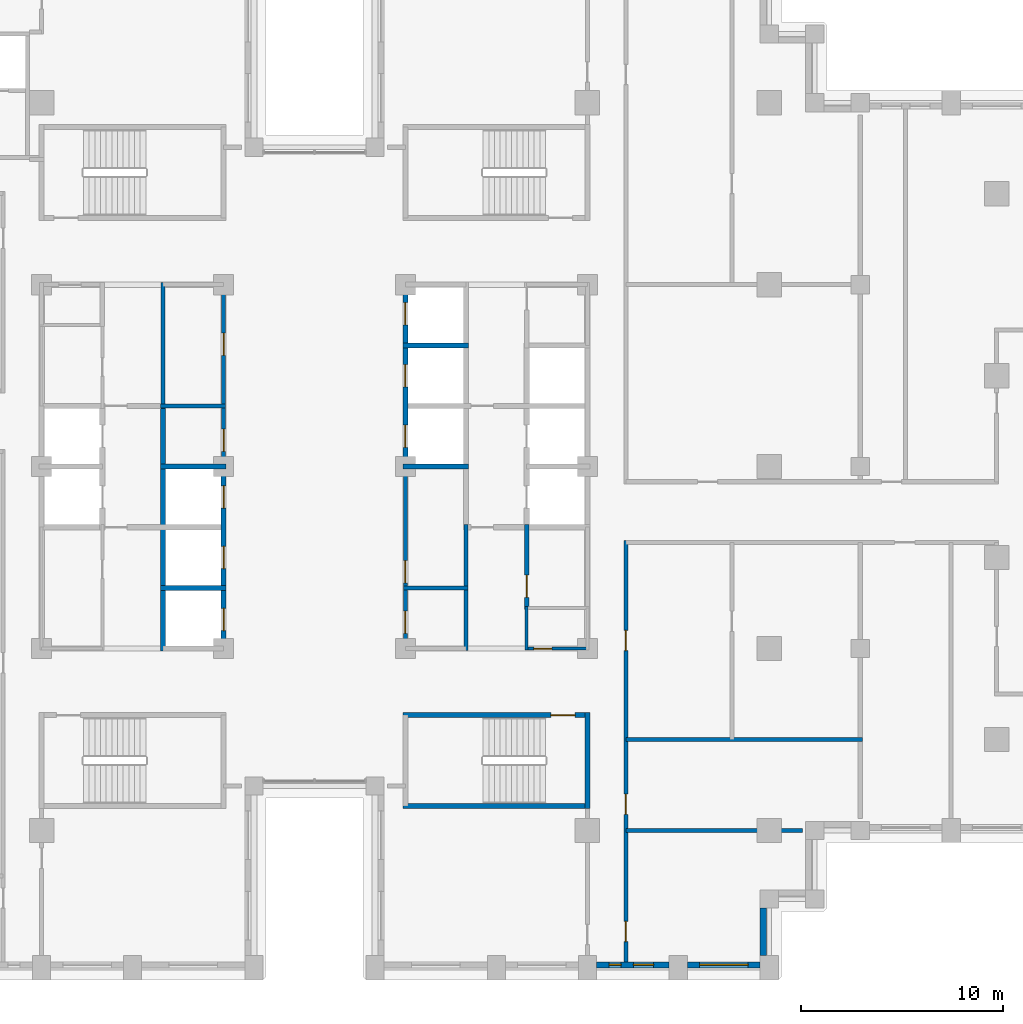
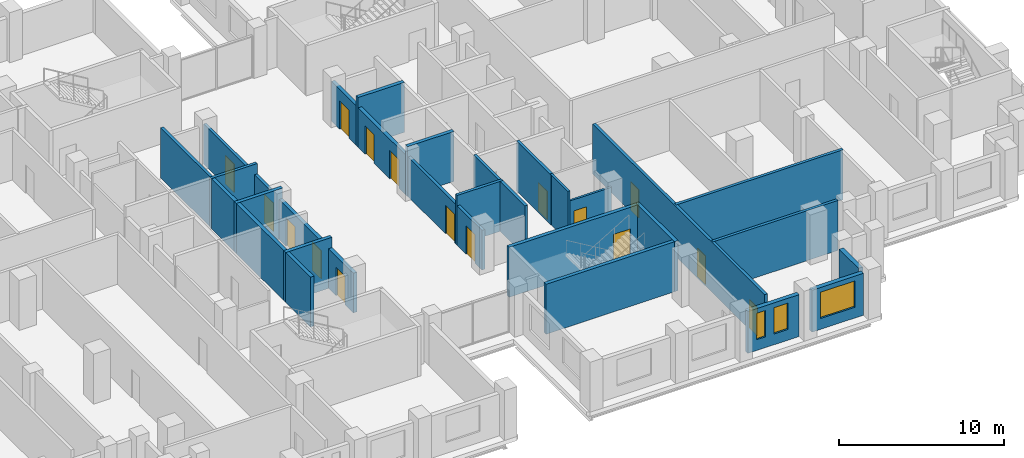
# One storey, part 8 of 16: 25 walls, 16 doors, 3 windows, 19 openings.
"""IFC4 building model written with IfcOpenShell, lengths in metres."""

from ifc_helpers import new_model, si_unit, direction, frame, frame_2d, origin, place, context, subcontext, project, spatial, rectangle, extrude, material, layer, layer_set, type_object, element, fill, save


model = new_model("IFC4")

# Units and contexts
model_context = context("Model", 3, precision=1e-05, world=origin(), true_north=direction((0.0, 1.0)))
body_context = subcontext(model_context, "Body", "Model", "MODEL_VIEW")
ifc_project = project(units=[si_unit("LENGTHUNIT", "METRE"), si_unit("AREAUNIT", "SQUARE_METRE"), si_unit("VOLUMEUNIT", "CUBIC_METRE"), si_unit("PLANEANGLEUNIT", "RADIAN"), si_unit("MASSUNIT", "GRAM", prefix="KILO")], contexts=[model_context])

# Site, building, storey
site_placement = place(None, origin())
site = spatial("IfcSite", under=ifc_project, at=site_placement, CompositionType="ELEMENT")
building_placement = place(site_placement, origin())
building = spatial("IfcBuilding", under=site, at=building_placement, Name="Corbelhall Arena Tower", CompositionType="ELEMENT")
storey_placement = place(building_placement, frame((0.0, 0.0, 108.0)))
storey = spatial("IfcBuildingStorey", under=building, at=storey_placement, Name="L19", CompositionType="ELEMENT", Elevation=108.0)

# Wall, openings, windows
ifc_material_1 = material(Name="Precast concrete C40/50 with granite facing", Category="masonry")
ifc_layer_1 = layer(ifc_material_1, 0.300048828125)
ifc_layer_set_1 = layer_set([ifc_layer_1], Name="EV-IW1 Infill panel 300")
wall_type_1 = type_object("IfcWallType", Name="EV-IW1 Infill panel 300", PredefinedType="SOLIDWALL", material=ifc_layer_set_1)
wall_1_placement = place(storey_placement, frame((13.949951171875, -24.64990234375, 0.0), z_axis=(0.0, 0.0, 1.0), x_axis=(1.0, 0.0, 0.0)))
wall_1 = element("IfcWall", 1, at=wall_1_placement, inside=storey, type_object=wall_type_1, Name="Infill panel IW1", PredefinedType="SOLIDWALL", context=body_context, shape_type="SweptSolid", body=[
    extrude(rectangle(XDim=3.60009765625, YDim=0.300048828125, at=frame_2d((1.800048828125, 0.0))), origin(), (0.0, 0.0, 1.0), 3.10009765625),
])
opening_1_placement = place(wall_1_placement, frame((0.625, 0.0, 0.800048828125)))
opening_1 = element("IfcOpeningElement", 2, at=opening_1_placement, cuts=wall_1, Name="Opening WN5", PredefinedType="OPENING", context=body_context, shape_type="SweptSolid", body=[
    extrude(rectangle(XDim=0.60009765625, YDim=1.949951171875, at=frame_2d((0.300048828125, 0.97509765625))), frame((0.0, 0.14990234375, 0.0), z_axis=(0.0, -1.0, 0.0), x_axis=(1.0, 0.0, 0.0)), (0.0, 0.0, 1.0), 0.300048828125),
])
opening_2_placement = place(wall_1_placement, frame((1.824951171875, 0.0, 0.800048828125)))
opening_2 = element("IfcOpeningElement", 3, at=opening_2_placement, cuts=wall_1, Name="Opening WN6", PredefinedType="OPENING", context=body_context, shape_type="SweptSolid", body=[
    extrude(rectangle(XDim=1.0, YDim=1.949951171875, at=frame_2d((0.5, 0.97509765625))), frame((0.0, 0.14990234375, 0.0), z_axis=(0.0, -1.0, 0.0), x_axis=(1.0, 0.0, 0.0)), (0.0, 0.0, 1.0), 0.300048828125),
])
ifc_material_2 = material(Name="Aluminium black anodised", Category="aluminium")
window_type_1 = type_object("IfcWindowType", Name="EV-WN5 Office window 600", PartitioningType="SINGLE_PANEL", PredefinedType="WINDOW", material=ifc_material_2)
window_1_placement = place(opening_1_placement, origin())
window_1 = element("IfcWindow", 4, at=window_1_placement, inside=storey, type_object=window_type_1, Name="Window WN5", OverallHeight=1.949951171875, OverallWidth=0.60009765625, PartitioningType="SINGLE_PANEL", PredefinedType="WINDOW", context=body_context, shape_type="SweptSolid", body=[
    extrude(rectangle(XDim=0.60009765625, YDim=1.949951171875, at=frame_2d((0.300048828125, 0.97509765625))), frame((0.0, 0.030029296875, 0.0), z_axis=(0.0, -1.0, 0.0), x_axis=(1.0, 0.0, 0.0)), (0.0, 0.0, 1.0), 0.06005859375),
])
fill(opening_1, window_1)
window_type_2 = type_object("IfcWindowType", Name="EV-WN6 Office window 1000", PartitioningType="SINGLE_PANEL", PredefinedType="WINDOW", material=ifc_material_2)
window_2_placement = place(opening_2_placement, origin())
window_2 = element("IfcWindow", 5, at=window_2_placement, inside=storey, type_object=window_type_2, Name="Window WN6", OverallHeight=1.949951171875, OverallWidth=1.0, PartitioningType="SINGLE_PANEL", PredefinedType="WINDOW", context=body_context, shape_type="SweptSolid", body=[
    extrude(rectangle(XDim=1.0, YDim=1.949951171875, at=frame_2d((0.5, 0.97509765625))), frame((0.0, 0.030029296875, 0.0), z_axis=(0.0, -1.0, 0.0), x_axis=(1.0, 0.0, 0.0)), (0.0, 0.0, 1.0), 0.06005859375),
])
fill(opening_2, window_2)

# Wall, opening, window
wall_2_placement = place(storey_placement, frame((18.449951171875, -24.64990234375, 0.0), z_axis=(0.0, 0.0, 1.0), x_axis=(1.0, 0.0, 0.0)))
wall_2 = element("IfcWall", 6, at=wall_2_placement, inside=storey, type_object=wall_type_1, Name="Infill panel IW1", PredefinedType="SOLIDWALL", context=body_context, shape_type="SweptSolid", body=[
    extrude(rectangle(XDim=3.60009765625, YDim=0.300048828125, at=frame_2d((1.800048828125, 0.0))), origin(), (0.0, 0.0, 1.0), 3.10009765625),
])
opening_3_placement = place(wall_2_placement, frame((0.60009765625, 0.0, 0.800048828125)))
opening_3 = element("IfcOpeningElement", 7, at=opening_3_placement, cuts=wall_2, Name="Opening WN1", PredefinedType="OPENING", context=body_context, shape_type="SweptSolid", body=[
    extrude(rectangle(XDim=2.39990234375, YDim=1.949951171875, at=frame_2d((1.199951171875, 0.97509765625))), frame((0.0, 0.14990234375, 0.0), z_axis=(0.0, -1.0, 0.0), x_axis=(1.0, 0.0, 0.0)), (0.0, 0.0, 1.0), 0.300048828125),
])
window_type_3 = type_object("IfcWindowType", Name="EV-WN1 Office window", PartitioningType="SINGLE_PANEL", PredefinedType="WINDOW", material=ifc_material_2)
window_3_placement = place(opening_3_placement, origin())
window_3 = element("IfcWindow", 8, at=window_3_placement, inside=storey, type_object=window_type_3, Name="Window WN1", OverallHeight=1.949951171875, OverallWidth=2.39990234375, PartitioningType="SINGLE_PANEL", PredefinedType="WINDOW", context=body_context, shape_type="SweptSolid", body=[
    extrude(rectangle(XDim=2.39990234375, YDim=1.949951171875, at=frame_2d((1.199951171875, 0.97509765625))), frame((0.0, 0.030029296875, 0.0), z_axis=(0.0, -1.0, 0.0), x_axis=(1.0, 0.0, 0.0)), (0.0, 0.0, 1.0), 0.06005859375),
])
fill(opening_3, window_3)

# Walls
wall_3_placement = place(storey_placement, frame((22.199951171875, -24.199951171875, 0.0), z_axis=(0.0, 0.0, 1.0), x_axis=(0.0, 1.0, 0.0)))
element("IfcWall", 9, at=wall_3_placement, inside=storey, type_object=wall_type_1, Name="Infill panel IW1", PredefinedType="SOLIDWALL", context=body_context, shape_type="SweptSolid", body=[
    extrude(rectangle(XDim=2.349853515625, YDim=0.300048828125, at=frame_2d((1.1748046875, 0.0))), origin(), (0.0, 0.0, 1.0), 3.10009765625),
])
ifc_material_3 = material(Name="Gypsum board on steel stud, acoustic", Category="steel")
ifc_layer_2 = layer(ifc_material_3, 0.199951171875)
ifc_layer_set_2 = layer_set([ifc_layer_2], Name="IN-W-DM200")
wall_type_2 = type_object("IfcWallType", Name="IN-W-DM200", PredefinedType="PARTITIONING", material=ifc_layer_set_2)
wall_4_placement = place(storey_placement, frame((15.39990234375, -18.0, 0.0), z_axis=(0.0, 0.0, 1.0), x_axis=(1.0, 0.0, 0.0)))
element("IfcWall", 10, at=wall_4_placement, inside=storey, type_object=wall_type_2, Name="Partition 027", PredefinedType="PARTITIONING", context=body_context, shape_type="SweptSolid", body=[
    extrude(rectangle(XDim=8.75, YDim=0.199951171875, at=frame_2d((4.375, 0.0))), origin(), (0.0, 0.0, 1.0), 3.699951171875),
])

# Wall, openings, doors
wall_5_placement = place(storey_placement, frame((15.39990234375, -3.64990234375, 0.0), z_axis=(0.0, 0.0, 1.0), x_axis=(0.0, -1.0, 0.0)))
wall_5 = element("IfcWall", 11, at=wall_5_placement, inside=storey, type_object=wall_type_2, Name="Partition 028", PredefinedType="PARTITIONING", context=body_context, shape_type="SweptSolid", body=[
    extrude(rectangle(XDim=20.85009765625, YDim=0.199951171875, at=frame_2d((10.425048828125, 0.0))), origin(), (0.0, 0.0, 1.0), 3.699951171875),
])
opening_4_placement = place(wall_5_placement, frame((18.85009765625, 0.0, 0.0)))
opening_4 = element("IfcOpeningElement", 12, at=opening_4_placement, cuts=wall_5, Name="Opening 04035", PredefinedType="OPENING", context=body_context, shape_type="SweptSolid", body=[
    extrude(rectangle(XDim=1.0, YDim=2.10009765625, at=frame_2d((0.5, 1.050048828125))), frame((0.0, 0.10009765625, 0.0), z_axis=(0.0, -1.0, 0.0), x_axis=(1.0, 0.0, 0.0)), (0.0, 0.0, 1.0), 0.199951171875),
])
opening_5_placement = place(wall_5_placement, frame((12.550048828125, 0.0, 0.0)))
opening_5 = element("IfcOpeningElement", 13, at=opening_5_placement, cuts=wall_5, Name="Opening 04036", PredefinedType="OPENING", context=body_context, shape_type="SweptSolid", body=[
    extrude(rectangle(XDim=1.0, YDim=2.10009765625, at=frame_2d((0.5, 1.050048828125))), frame((0.0, 0.10009765625, 0.0), z_axis=(0.0, -1.0, 0.0), x_axis=(1.0, 0.0, 0.0)), (0.0, 0.0, 1.0), 0.199951171875),
])
opening_6_placement = place(wall_5_placement, frame((4.449951171875, 0.0, 0.0)))
opening_6 = element("IfcOpeningElement", 14, at=opening_6_placement, cuts=wall_5, Name="Opening 04037", PredefinedType="OPENING", context=body_context, shape_type="SweptSolid", body=[
    extrude(rectangle(XDim=1.0, YDim=2.10009765625, at=frame_2d((0.5, 1.050048828125))), frame((0.0, 0.10009765625, 0.0), z_axis=(0.0, -1.0, 0.0), x_axis=(1.0, 0.0, 0.0)), (0.0, 0.0, 1.0), 0.199951171875),
])
ifc_material_4 = material(Name="Steel door set", Category="steel")
door_type_1 = type_object("IfcDoorType", Name="IN-D-SW100", OperationType="NOTDEFINED", PredefinedType="DOOR", material=ifc_material_4)
door_1_placement = place(opening_4_placement, origin())
door_1 = element("IfcDoor", 15, at=door_1_placement, inside=storey, type_object=door_type_1, Name="Door 035", OperationType="SINGLE_SWING_RIGHT", OverallHeight=2.10009765625, OverallWidth=1.0, PredefinedType="DOOR", context=body_context, shape_type="SweptSolid", body=[
    extrude(rectangle(XDim=1.0, YDim=2.10009765625, at=frame_2d((0.5, 1.050048828125))), frame((0.0, 0.02490234375, 0.0), z_axis=(0.0, -1.0, 0.0), x_axis=(1.0, 0.0, 0.0)), (0.0, 0.0, 1.0), 0.050048828125),
])
fill(opening_4, door_1)
door_2_placement = place(opening_5_placement, origin())
door_2 = element("IfcDoor", 16, at=door_2_placement, inside=storey, type_object=door_type_1, Name="Door 036", OperationType="SINGLE_SWING_LEFT", OverallHeight=2.10009765625, OverallWidth=1.0, PredefinedType="DOOR", context=body_context, shape_type="SweptSolid", body=[
    extrude(rectangle(XDim=1.0, YDim=2.10009765625, at=frame_2d((0.5, 1.050048828125))), frame((0.0, 0.02490234375, 0.0), z_axis=(0.0, -1.0, 0.0), x_axis=(1.0, 0.0, 0.0)), (0.0, 0.0, 1.0), 0.050048828125),
])
fill(opening_5, door_2)
door_3_placement = place(opening_6_placement, origin())
door_3 = element("IfcDoor", 17, at=door_3_placement, inside=storey, type_object=door_type_1, Name="Door 037", OperationType="SINGLE_SWING_RIGHT", OverallHeight=2.10009765625, OverallWidth=1.0, PredefinedType="DOOR", context=body_context, shape_type="SweptSolid", body=[
    extrude(rectangle(XDim=1.0, YDim=2.10009765625, at=frame_2d((0.5, 1.050048828125))), frame((0.0, 0.02490234375, 0.0), z_axis=(0.0, -1.0, 0.0), x_axis=(1.0, 0.0, 0.0)), (0.0, 0.0, 1.0), 0.050048828125),
])
fill(opening_6, door_3)

# Walls
wall_6_placement = place(storey_placement, frame((15.39990234375, -13.5, 0.0), z_axis=(0.0, 0.0, 1.0), x_axis=(1.0, 0.0, 0.0)))
element("IfcWall", 18, at=wall_6_placement, inside=storey, type_object=wall_type_2, Name="Partition 029", PredefinedType="PARTITIONING", context=body_context, shape_type="SweptSolid", body=[
    extrude(rectangle(XDim=11.7001953125, YDim=0.199951171875, at=frame_2d((5.85009765625, 0.0))), origin(), (0.0, 0.0, 1.0), 3.699951171875),
])
ifc_material_5 = material(Name="Concrete block wall", Category="concrete")
ifc_layer_3 = layer(ifc_material_5, 0.199951171875)
ifc_layer_set_3 = layer_set([ifc_layer_3], Name="IN-W-RS200")
wall_type_3 = type_object("IfcWallType", Name="IN-W-RS200", PredefinedType="SOLIDWALL", material=ifc_layer_set_3)
wall_7_placement = place(storey_placement, frame((-7.625, 3.0, 0.0), z_axis=(0.0, 0.0, 1.0), x_axis=(1.0, 0.0, 0.0)))
element("IfcWall", 19, at=wall_7_placement, inside=storey, type_object=wall_type_3, Name="Partition 047", PredefinedType="SOLIDWALL", context=body_context, shape_type="SweptSolid", body=[
    extrude(rectangle(XDim=3.22509765625, YDim=0.199951171875, at=frame_2d((1.612548828125, 0.0))), origin(), (0.0, 0.0, 1.0), 3.699951171875),
])
wall_8_placement = place(storey_placement, frame((-7.5, 2.875, 0.0), z_axis=(0.0, 0.0, 1.0), x_axis=(0.0, 1.0, 0.0)))
element("IfcWall", 20, at=wall_8_placement, inside=storey, type_object=wall_type_3, Name="Partition 048", PredefinedType="SOLIDWALL", context=body_context, shape_type="SweptSolid", body=[
    extrude(rectangle(XDim=6.22509765625, YDim=0.199951171875, at=frame_2d((3.112548828125, 0.0))), origin(), (0.0, 0.0, 1.0), 3.699951171875),
])
wall_9_placement = place(storey_placement, frame((4.39990234375, -6.0, 0.0), z_axis=(0.0, 0.0, 1.0), x_axis=(1.0, 0.0, 0.0)))
element("IfcWall", 21, at=wall_9_placement, inside=storey, type_object=wall_type_3, Name="Partition 051", PredefinedType="SOLIDWALL", context=body_context, shape_type="SweptSolid", body=[
    extrude(rectangle(XDim=3.2001953125, YDim=0.199951171875, at=frame_2d((1.60009765625, 0.0))), origin(), (0.0, 0.0, 1.0), 3.699951171875),
])
wall_10_placement = place(storey_placement, frame((7.5, -2.875, 0.0), z_axis=(0.0, 0.0, 1.0), x_axis=(0.0, -1.0, 0.0)))
element("IfcWall", 22, at=wall_10_placement, inside=storey, type_object=wall_type_3, Name="Partition 054", PredefinedType="SOLIDWALL", context=body_context, shape_type="SweptSolid", body=[
    extrude(rectangle(XDim=6.22509765625, YDim=0.199951171875, at=frame_2d((3.112548828125, 0.0))), origin(), (0.0, 0.0, 1.0), 3.699951171875),
])

# Wall, opening, door
wall_11_placement = place(storey_placement, frame((10.5, -2.875, 0.0), z_axis=(0.0, 0.0, 1.0), x_axis=(0.0, -1.0, 0.0)))
wall_11 = element("IfcWall", 23, at=wall_11_placement, inside=storey, type_object=wall_type_3, Name="Partition 055", PredefinedType="SOLIDWALL", context=body_context, shape_type="SweptSolid", body=[
    extrude(rectangle(XDim=4.199951171875, YDim=0.199951171875, at=frame_2d((2.10009765625, 0.0))), origin(), (0.0, 0.0, 1.0), 3.699951171875),
])
opening_7_placement = place(wall_11_placement, frame((2.5, 0.0, 0.0)))
opening_7 = element("IfcOpeningElement", 24, at=opening_7_placement, cuts=wall_11, Name="Opening 04013", PredefinedType="OPENING", context=body_context, shape_type="SweptSolid", body=[
    extrude(rectangle(XDim=1.10009765625, YDim=2.10009765625, at=frame_2d((0.550048828125, 1.050048828125))), frame((0.0, 0.10009765625, 0.0), z_axis=(0.0, -1.0, 0.0), x_axis=(1.0, 0.0, 0.0)), (0.0, 0.0, 1.0), 0.199951171875),
])
door_type_2 = type_object("IfcDoorType", Name="IN-D-FD110", OperationType="NOTDEFINED", PredefinedType="DOOR", material=ifc_material_4)
door_4_placement = place(opening_7_placement, origin())
door_4 = element("IfcDoor", 25, at=door_4_placement, inside=storey, type_object=door_type_2, Name="Door 013", OperationType="SINGLE_SWING_RIGHT", OverallHeight=2.10009765625, OverallWidth=1.10009765625, PredefinedType="DOOR", context=body_context, shape_type="SweptSolid", body=[
    extrude(rectangle(XDim=1.10009765625, YDim=2.10009765625, at=frame_2d((0.550048828125, 1.050048828125))), frame((0.0, 0.02490234375, 0.0), z_axis=(0.0, -1.0, 0.0), x_axis=(1.0, 0.0, 0.0)), (0.0, 0.0, 1.0), 0.050048828125),
])
fill(opening_7, door_4)

# Wall, openings, doors
ifc_layer_4 = layer(ifc_material_5, 0.199951171875)
ifc_layer_set_4 = layer_set([ifc_layer_4], Name="IN-W-RS200 under beam 762 mm")
wall_type_4 = type_object("IfcWallType", Name="IN-W-RS200 under beam 762 mm", PredefinedType="SOLIDWALL", material=ifc_layer_set_4)
wall_12_placement = place(storey_placement, frame((-4.5, 9.10009765625, 0.0), z_axis=(0.0, 0.0, 1.0), x_axis=(0.0, -1.0, 0.0)))
wall_12 = element("IfcWall", 26, at=wall_12_placement, inside=storey, type_object=wall_type_4, Name="Partition 050", PredefinedType="SOLIDWALL", context=body_context, shape_type="SweptSolid", body=[
    extrude(rectangle(XDim=9.10009765625, YDim=0.199951171875, at=frame_2d((4.550048828125, 0.0))), origin(), (0.0, 0.0, 1.0), 2.93798828125),
])
opening_8_placement = place(wall_12_placement, frame((7.25, 0.0, 0.0)))
opening_8 = element("IfcOpeningElement", 27, at=opening_8_placement, cuts=wall_12, Name="Opening 04001", PredefinedType="OPENING", context=body_context, shape_type="SweptSolid", body=[
    extrude(rectangle(XDim=1.10009765625, YDim=2.10009765625, at=frame_2d((0.550048828125, 1.050048828125))), frame((0.0, 0.10009765625, 0.0), z_axis=(0.0, -1.0, 0.0), x_axis=(1.0, 0.0, 0.0)), (0.0, 0.0, 1.0), 0.199951171875),
])
opening_9_placement = place(wall_12_placement, frame((2.5, 0.0, 0.0)))
opening_9 = element("IfcOpeningElement", 28, at=opening_9_placement, cuts=wall_12, Name="Opening 04002", PredefinedType="OPENING", context=body_context, shape_type="SweptSolid", body=[
    extrude(rectangle(XDim=1.10009765625, YDim=2.10009765625, at=frame_2d((0.550048828125, 1.050048828125))), frame((0.0, 0.10009765625, 0.0), z_axis=(0.0, -1.0, 0.0), x_axis=(1.0, 0.0, 0.0)), (0.0, 0.0, 1.0), 0.199951171875),
])
door_5_placement = place(opening_8_placement, origin())
door_5 = element("IfcDoor", 29, at=door_5_placement, inside=storey, type_object=door_type_2, Name="Door 001", OperationType="SINGLE_SWING_RIGHT", OverallHeight=2.10009765625, OverallWidth=1.10009765625, PredefinedType="DOOR", context=body_context, shape_type="SweptSolid", body=[
    extrude(rectangle(XDim=1.10009765625, YDim=2.10009765625, at=frame_2d((0.550048828125, 1.050048828125))), frame((0.0, 0.02490234375, 0.0), z_axis=(0.0, -1.0, 0.0), x_axis=(1.0, 0.0, 0.0)), (0.0, 0.0, 1.0), 0.050048828125),
])
fill(opening_8, door_5)
door_6_placement = place(opening_9_placement, origin())
door_6 = element("IfcDoor", 30, at=door_6_placement, inside=storey, type_object=door_type_2, Name="Door 002", OperationType="SINGLE_SWING_LEFT", OverallHeight=2.10009765625, OverallWidth=1.10009765625, PredefinedType="DOOR", context=body_context, shape_type="SweptSolid", body=[
    extrude(rectangle(XDim=1.10009765625, YDim=2.10009765625, at=frame_2d((0.550048828125, 1.050048828125))), frame((0.0, 0.02490234375, 0.0), z_axis=(0.0, -1.0, 0.0), x_axis=(1.0, 0.0, 0.0)), (0.0, 0.0, 1.0), 0.050048828125),
])
fill(opening_9, door_6)

wall_13_placement = place(storey_placement, frame((4.5, -9.10009765625, 0.0), z_axis=(0.0, 0.0, 1.0), x_axis=(0.0, 1.0, 0.0)))
wall_13 = element("IfcWall", 31, at=wall_13_placement, inside=storey, type_object=wall_type_4, Name="Partition 052", PredefinedType="SOLIDWALL", context=body_context, shape_type="SweptSolid", body=[
    extrude(rectangle(XDim=9.10009765625, YDim=0.199951171875, at=frame_2d((4.550048828125, 0.0))), origin(), (0.0, 0.0, 1.0), 2.93798828125),
])
opening_10_placement = place(wall_13_placement, frame((0.85009765625, 0.0, 0.0)))
opening_10 = element("IfcOpeningElement", 32, at=opening_10_placement, cuts=wall_13, Name="Opening 04008", PredefinedType="OPENING", context=body_context, shape_type="SweptSolid", body=[
    extrude(rectangle(XDim=1.10009765625, YDim=2.10009765625, at=frame_2d((0.550048828125, 1.050048828125))), frame((0.0, 0.10009765625, 0.0), z_axis=(0.0, -1.0, 0.0), x_axis=(1.0, 0.0, 0.0)), (0.0, 0.0, 1.0), 0.199951171875),
])
opening_11_placement = place(wall_13_placement, frame((3.35009765625, 0.0, 0.0)))
opening_11 = element("IfcOpeningElement", 33, at=opening_11_placement, cuts=wall_13, Name="Opening 04009", PredefinedType="OPENING", context=body_context, shape_type="SweptSolid", body=[
    extrude(rectangle(XDim=1.10009765625, YDim=2.10009765625, at=frame_2d((0.550048828125, 1.050048828125))), frame((0.0, 0.10009765625, 0.0), z_axis=(0.0, -1.0, 0.0), x_axis=(1.0, 0.0, 0.0)), (0.0, 0.0, 1.0), 0.199951171875),
])
door_7_placement = place(opening_10_placement, origin())
door_7 = element("IfcDoor", 34, at=door_7_placement, inside=storey, type_object=door_type_2, Name="Door 008", OperationType="SINGLE_SWING_LEFT", OverallHeight=2.10009765625, OverallWidth=1.10009765625, PredefinedType="DOOR", context=body_context, shape_type="SweptSolid", body=[
    extrude(rectangle(XDim=1.10009765625, YDim=2.10009765625, at=frame_2d((0.550048828125, 1.050048828125))), frame((0.0, 0.02490234375, 0.0), z_axis=(0.0, -1.0, 0.0), x_axis=(1.0, 0.0, 0.0)), (0.0, 0.0, 1.0), 0.050048828125),
])
fill(opening_10, door_7)
door_8_placement = place(opening_11_placement, origin())
door_8 = element("IfcDoor", 35, at=door_8_placement, inside=storey, type_object=door_type_2, Name="Door 009", OperationType="SINGLE_SWING_RIGHT", OverallHeight=2.10009765625, OverallWidth=1.10009765625, PredefinedType="DOOR", context=body_context, shape_type="SweptSolid", body=[
    extrude(rectangle(XDim=1.10009765625, YDim=2.10009765625, at=frame_2d((0.550048828125, 1.050048828125))), frame((0.0, 0.02490234375, 0.0), z_axis=(0.0, -1.0, 0.0), x_axis=(1.0, 0.0, 0.0)), (0.0, 0.0, 1.0), 0.050048828125),
])
fill(opening_11, door_8)

# Walls
ifc_material_6 = material(Name="Concrete C40/50", Category="concrete")
ifc_layer_5 = layer(ifc_material_6, 0.25)
ifc_layer_set_5 = layer_set([ifc_layer_5], Name="IN-W-SH250")
wall_type_5 = type_object("IfcWallType", Name="IN-W-SH250", PredefinedType="SOLIDWALL", material=ifc_layer_set_5)
for number, where, z_axis, x_axis, name in (
    (36, (-7.625, -6.0, 0.0), (0.0, 0.0, 1.0), (1.0, 0.0, 0.0), "Shaft wall 065"),
    (37, (-7.625, 0.0, 0.0), (0.0, 0.0, 1.0), (1.0, 0.0, 0.0), "Shaft wall 066"),
):
    element("IfcWall", number, at=place(storey_placement, frame(where, z_axis=z_axis, x_axis=x_axis)), inside=storey, type_object=wall_type_5, Name=name, PredefinedType="SOLIDWALL", context=body_context, shape_type="SweptSolid", body=[
        extrude(rectangle(XDim=3.25, YDim=0.25, at=frame_2d((1.625, 0.0))), origin(), (0.0, 0.0, 1.0), 3.699951171875),
    ])
wall_14_placement = place(storey_placement, frame((-7.5, -9.125, 0.0), z_axis=(0.0, 0.0, 1.0), x_axis=(0.0, 1.0, 0.0)))
element("IfcWall", 38, at=wall_14_placement, inside=storey, type_object=wall_type_5, Name="Shaft wall 067", PredefinedType="SOLIDWALL", context=body_context, shape_type="SweptSolid", body=[
    extrude(rectangle(XDim=12.25, YDim=0.25, at=frame_2d((6.125, 0.0))), origin(), (0.0, 0.0, 1.0), 3.699951171875),
])
for number, where, z_axis, x_axis, name in (
    (39, (4.375, 0.0, 0.0), (0.0, 0.0, 1.0), (1.0, 0.0, 0.0), "Shaft wall 070"),
    (40, (4.375, 6.0, 0.0), (0.0, 0.0, 1.0), (1.0, 0.0, 0.0), "Shaft wall 072"),
):
    element("IfcWall", number, at=place(storey_placement, frame(where, z_axis=z_axis, x_axis=x_axis)), inside=storey, type_object=wall_type_5, Name=name, PredefinedType="SOLIDWALL", context=body_context, shape_type="SweptSolid", body=[
        extrude(rectangle(XDim=3.25, YDim=0.25, at=frame_2d((1.625, 0.0))), origin(), (0.0, 0.0, 1.0), 3.699951171875),
    ])

# Wall, openings, doors
ifc_layer_6 = layer(ifc_material_6, 0.25)
ifc_layer_set_6 = layer_set([ifc_layer_6], Name="IN-W-SH250 under beam 762 mm")
wall_type_6 = type_object("IfcWallType", Name="IN-W-SH250 under beam 762 mm", PredefinedType="SOLIDWALL", material=ifc_layer_set_6)
wall_15_placement = place(storey_placement, frame((-4.5, 0.0, 0.0), z_axis=(0.0, 0.0, 1.0), x_axis=(0.0, -1.0, 0.0)))
wall_15 = element("IfcWall", 41, at=wall_15_placement, inside=storey, type_object=wall_type_6, Name="Shaft wall 069", PredefinedType="SOLIDWALL", context=body_context, shape_type="SweptSolid", body=[
    extrude(rectangle(XDim=9.125, YDim=0.25, at=frame_2d((4.5625, 0.0))), origin(), (0.0, 0.0, 1.0), 2.93798828125),
])
opening_12_placement = place(wall_15_placement, frame((7.012451171875, 0.0, 0.0)))
opening_12 = element("IfcOpeningElement", 42, at=opening_12_placement, cuts=wall_15, Name="Opening LD", PredefinedType="OPENING", context=body_context, shape_type="SweptSolid", body=[
    extrude(rectangle(XDim=1.10009765625, YDim=2.10009765625, at=frame_2d((0.550048828125, 1.050048828125))), frame((0.0, 0.125, 0.0), z_axis=(0.0, -1.0, 0.0), x_axis=(1.0, 0.0, 0.0)), (0.0, 0.0, 1.0), 0.25),
])
opening_13_placement = place(wall_15_placement, frame((3.949951171875, 0.0, 0.0)))
opening_13 = element("IfcOpeningElement", 43, at=opening_13_placement, cuts=wall_15, Name="Opening LD", PredefinedType="OPENING", context=body_context, shape_type="SweptSolid", body=[
    extrude(rectangle(XDim=1.10009765625, YDim=2.10009765625, at=frame_2d((0.550048828125, 1.050048828125))), frame((0.0, 0.125, 0.0), z_axis=(0.0, -1.0, 0.0), x_axis=(1.0, 0.0, 0.0)), (0.0, 0.0, 1.0), 0.25),
])
opening_14_placement = place(wall_15_placement, frame((0.949951171875, 0.0, 0.0)))
opening_14 = element("IfcOpeningElement", 44, at=opening_14_placement, cuts=wall_15, Name="Opening LD", PredefinedType="OPENING", context=body_context, shape_type="SweptSolid", body=[
    extrude(rectangle(XDim=1.10009765625, YDim=2.10009765625, at=frame_2d((0.550048828125, 1.050048828125))), frame((0.0, 0.125, 0.0), z_axis=(0.0, -1.0, 0.0), x_axis=(1.0, 0.0, 0.0)), (0.0, 0.0, 1.0), 0.25),
])
door_type_3 = type_object("IfcDoorType", Name="IN-D-LD110", OperationType="NOTDEFINED", PredefinedType="DOOR", material=ifc_material_4)
door_9_placement = place(opening_12_placement, origin())
door_9 = element("IfcDoor", 45, at=door_9_placement, inside=storey, type_object=door_type_3, Name="Landing door W1", OperationType="SLIDING_TO_LEFT", OverallHeight=2.10009765625, OverallWidth=1.10009765625, PredefinedType="DOOR", context=body_context, shape_type="SweptSolid", body=[
    extrude(rectangle(XDim=1.10009765625, YDim=2.10009765625, at=frame_2d((0.550048828125, 1.050048828125))), frame((0.0, 0.02490234375, 0.0), z_axis=(0.0, -1.0, 0.0), x_axis=(1.0, 0.0, 0.0)), (0.0, 0.0, 1.0), 0.050048828125),
])
fill(opening_12, door_9)
door_10_placement = place(opening_13_placement, origin())
door_10 = element("IfcDoor", 46, at=door_10_placement, inside=storey, type_object=door_type_3, Name="Landing door W2", OperationType="SLIDING_TO_LEFT", OverallHeight=2.10009765625, OverallWidth=1.10009765625, PredefinedType="DOOR", context=body_context, shape_type="SweptSolid", body=[
    extrude(rectangle(XDim=1.10009765625, YDim=2.10009765625, at=frame_2d((0.550048828125, 1.050048828125))), frame((0.0, 0.02490234375, 0.0), z_axis=(0.0, -1.0, 0.0), x_axis=(1.0, 0.0, 0.0)), (0.0, 0.0, 1.0), 0.050048828125),
])
fill(opening_13, door_10)
door_11_placement = place(opening_14_placement, origin())
door_11 = element("IfcDoor", 47, at=door_11_placement, inside=storey, type_object=door_type_3, Name="Landing door W3", OperationType="SLIDING_TO_LEFT", OverallHeight=2.10009765625, OverallWidth=1.10009765625, PredefinedType="DOOR", context=body_context, shape_type="SweptSolid", body=[
    extrude(rectangle(XDim=1.10009765625, YDim=2.10009765625, at=frame_2d((0.550048828125, 1.050048828125))), frame((0.0, 0.02490234375, 0.0), z_axis=(0.0, -1.0, 0.0), x_axis=(1.0, 0.0, 0.0)), (0.0, 0.0, 1.0), 0.050048828125),
])
fill(opening_14, door_11)

wall_16_placement = place(storey_placement, frame((4.5, 0.0, 0.0), z_axis=(0.0, 0.0, 1.0), x_axis=(0.0, 1.0, 0.0)))
wall_16 = element("IfcWall", 48, at=wall_16_placement, inside=storey, type_object=wall_type_6, Name="Shaft wall 073", PredefinedType="SOLIDWALL", context=body_context, shape_type="SweptSolid", body=[
    extrude(rectangle(XDim=9.125, YDim=0.25, at=frame_2d((4.5625, 0.0))), origin(), (0.0, 0.0, 1.0), 2.93798828125),
])
opening_15_placement = place(wall_16_placement, frame((0.949951171875, 0.0, 0.0)))
opening_15 = element("IfcOpeningElement", 49, at=opening_15_placement, cuts=wall_16, Name="Opening LD", PredefinedType="OPENING", context=body_context, shape_type="SweptSolid", body=[
    extrude(rectangle(XDim=1.10009765625, YDim=2.10009765625, at=frame_2d((0.550048828125, 1.050048828125))), frame((0.0, 0.125, 0.0), z_axis=(0.0, -1.0, 0.0), x_axis=(1.0, 0.0, 0.0)), (0.0, 0.0, 1.0), 0.25),
])
opening_16_placement = place(wall_16_placement, frame((3.949951171875, 0.0, 0.0)))
opening_16 = element("IfcOpeningElement", 50, at=opening_16_placement, cuts=wall_16, Name="Opening LD", PredefinedType="OPENING", context=body_context, shape_type="SweptSolid", body=[
    extrude(rectangle(XDim=1.10009765625, YDim=2.10009765625, at=frame_2d((0.550048828125, 1.050048828125))), frame((0.0, 0.125, 0.0), z_axis=(0.0, -1.0, 0.0), x_axis=(1.0, 0.0, 0.0)), (0.0, 0.0, 1.0), 0.25),
])
opening_17_placement = place(wall_16_placement, frame((7.012451171875, 0.0, 0.0)))
opening_17 = element("IfcOpeningElement", 51, at=opening_17_placement, cuts=wall_16, Name="Opening LD", PredefinedType="OPENING", context=body_context, shape_type="SweptSolid", body=[
    extrude(rectangle(XDim=1.10009765625, YDim=2.10009765625, at=frame_2d((0.550048828125, 1.050048828125))), frame((0.0, 0.125, 0.0), z_axis=(0.0, -1.0, 0.0), x_axis=(1.0, 0.0, 0.0)), (0.0, 0.0, 1.0), 0.25),
])
door_12_placement = place(opening_15_placement, origin())
door_12 = element("IfcDoor", 52, at=door_12_placement, inside=storey, type_object=door_type_3, Name="Landing door E4", OperationType="SLIDING_TO_LEFT", OverallHeight=2.10009765625, OverallWidth=1.10009765625, PredefinedType="DOOR", context=body_context, shape_type="SweptSolid", body=[
    extrude(rectangle(XDim=1.10009765625, YDim=2.10009765625, at=frame_2d((0.550048828125, 1.050048828125))), frame((0.0, 0.02490234375, 0.0), z_axis=(0.0, -1.0, 0.0), x_axis=(1.0, 0.0, 0.0)), (0.0, 0.0, 1.0), 0.050048828125),
])
fill(opening_15, door_12)
door_13_placement = place(opening_16_placement, origin())
door_13 = element("IfcDoor", 53, at=door_13_placement, inside=storey, type_object=door_type_3, Name="Landing door E5", OperationType="SLIDING_TO_LEFT", OverallHeight=2.10009765625, OverallWidth=1.10009765625, PredefinedType="DOOR", context=body_context, shape_type="SweptSolid", body=[
    extrude(rectangle(XDim=1.10009765625, YDim=2.10009765625, at=frame_2d((0.550048828125, 1.050048828125))), frame((0.0, 0.02490234375, 0.0), z_axis=(0.0, -1.0, 0.0), x_axis=(1.0, 0.0, 0.0)), (0.0, 0.0, 1.0), 0.050048828125),
])
fill(opening_16, door_13)
door_14_placement = place(opening_17_placement, origin())
door_14 = element("IfcDoor", 54, at=door_14_placement, inside=storey, type_object=door_type_3, Name="Landing door E6", OperationType="SLIDING_TO_LEFT", OverallHeight=2.10009765625, OverallWidth=1.10009765625, PredefinedType="DOOR", context=body_context, shape_type="SweptSolid", body=[
    extrude(rectangle(XDim=1.10009765625, YDim=2.10009765625, at=frame_2d((0.550048828125, 1.050048828125))), frame((0.0, 0.02490234375, 0.0), z_axis=(0.0, -1.0, 0.0), x_axis=(1.0, 0.0, 0.0)), (0.0, 0.0, 1.0), 0.050048828125),
])
fill(opening_17, door_14)

# Walls
ifc_layer_7 = layer(ifc_material_6, 0.25)
ifc_layer_set_7 = layer_set([ifc_layer_7], Name="IN-W-ST250")
wall_type_7 = type_object("IfcWallType", Name="IN-W-ST250", PredefinedType="SOLIDWALL", material=ifc_layer_set_7)
wall_17_placement = place(storey_placement, frame((13.5, -16.925048828125, 0.0), z_axis=(0.0, 0.0, 1.0), x_axis=(0.0, 1.0, 0.0)))
element("IfcWall", 55, at=wall_17_placement, inside=storey, type_object=wall_type_7, Name="Shaft wall 099", PredefinedType="SOLIDWALL", context=body_context, shape_type="SweptSolid", body=[
    extrude(rectangle(XDim=4.75, YDim=0.25, at=frame_2d((2.375, 0.0))), origin(), (0.0, 0.0, 1.0), 3.699951171875),
])
wall_18_placement = place(storey_placement, frame((13.5, -16.800048828125, 0.0), z_axis=(0.0, 0.0, 1.0), x_axis=(-1.0, 0.0, 0.0)))
element("IfcWall", 56, at=wall_18_placement, inside=storey, type_object=wall_type_7, Name="Shaft wall 100", PredefinedType="SOLIDWALL", context=body_context, shape_type="SweptSolid", body=[
    extrude(rectangle(XDim=9.125, YDim=0.25, at=frame_2d((4.5625, 0.0))), origin(), (0.0, 0.0, 1.0), 3.699951171875),
])

# Wall, opening, door
wall_19_placement = place(storey_placement, frame((13.5, -12.300048828125, 0.0), z_axis=(0.0, 0.0, 1.0), x_axis=(-1.0, 0.0, 0.0)))
wall_19 = element("IfcWall", 57, at=wall_19_placement, inside=storey, type_object=wall_type_7, Name="Shaft wall 101", PredefinedType="SOLIDWALL", context=body_context, shape_type="SweptSolid", body=[
    extrude(rectangle(XDim=9.125, YDim=0.25, at=frame_2d((4.5625, 0.0))), origin(), (0.0, 0.0, 1.0), 3.699951171875),
])
opening_18_placement = place(wall_19_placement, frame((0.60009765625, 0.0, 0.0)))
opening_18 = element("IfcOpeningElement", 58, at=opening_18_placement, cuts=wall_19, Name="Opening 04018", PredefinedType="OPENING", context=body_context, shape_type="SweptSolid", body=[
    extrude(rectangle(XDim=1.199951171875, YDim=2.10009765625, at=frame_2d((0.60009765625, 1.050048828125))), frame((0.0, 0.125, 0.0), z_axis=(0.0, -1.0, 0.0), x_axis=(1.0, 0.0, 0.0)), (0.0, 0.0, 1.0), 0.25),
])
door_type_4 = type_object("IfcDoorType", Name="IN-D-ST120", OperationType="NOTDEFINED", PredefinedType="DOOR", material=ifc_material_4)
door_15_placement = place(opening_18_placement, origin())
door_15 = element("IfcDoor", 59, at=door_15_placement, inside=storey, type_object=door_type_4, Name="Door 018", OperationType="SINGLE_SWING_LEFT", OverallHeight=2.10009765625, OverallWidth=1.199951171875, PredefinedType="DOOR", context=body_context, shape_type="SweptSolid", body=[
    extrude(rectangle(XDim=1.199951171875, YDim=2.10009765625, at=frame_2d((0.60009765625, 1.050048828125))), frame((0.0, 0.02490234375, 0.0), z_axis=(0.0, -1.0, 0.0), x_axis=(1.0, 0.0, 0.0)), (0.0, 0.0, 1.0), 0.050048828125),
])
fill(opening_18, door_15)

# Wall
ifc_material_7 = material(Name="Gypsum board on steel stud, moisture resistant", Category="steel")
ifc_layer_8 = layer(ifc_material_7, 0.14990234375)
ifc_layer_set_8 = layer_set([ifc_layer_8], Name="IN-W-WC150")
wall_type_8 = type_object("IfcWallType", Name="IN-W-WC150", PredefinedType="PARTITIONING", material=ifc_layer_set_8)
wall_20_placement = place(storey_placement, frame((10.5, -6.925048828125, 0.0), z_axis=(0.0, 0.0, 1.0), x_axis=(0.0, -1.0, 0.0)))
element("IfcWall", 60, at=wall_20_placement, inside=storey, type_object=wall_type_8, Name="Partition 116", PredefinedType="PARTITIONING", context=body_context, shape_type="SweptSolid", body=[
    extrude(rectangle(XDim=2.14990234375, YDim=0.14990234375, at=frame_2d((1.074951171875, 0.0))), origin(), (0.0, 0.0, 1.0), 3.699951171875),
])

# Wall, opening, door
ifc_layer_9 = layer(ifc_material_7, 0.14990234375)
ifc_layer_set_9 = layer_set([ifc_layer_9], Name="IN-W-WC150 under beam 762 mm")
wall_type_9 = type_object("IfcWallType", Name="IN-W-WC150 under beam 762 mm", PredefinedType="PARTITIONING", material=ifc_layer_set_9)
wall_21_placement = place(storey_placement, frame((13.5, -9.0, 0.0), z_axis=(0.0, 0.0, 1.0), x_axis=(-1.0, 0.0, 0.0)))
wall_21 = element("IfcWall", 61, at=wall_21_placement, inside=storey, type_object=wall_type_9, Name="Partition 117", PredefinedType="PARTITIONING", context=body_context, shape_type="SweptSolid", body=[
    extrude(rectangle(XDim=3.0, YDim=0.14990234375, at=frame_2d((1.5, 0.0))), origin(), (0.0, 0.0, 1.0), 2.93798828125),
])
opening_19_placement = place(wall_21_placement, frame((1.75, 0.0, 0.0)))
opening_19 = element("IfcOpeningElement", 62, at=opening_19_placement, cuts=wall_21, Name="Opening 04012", PredefinedType="OPENING", context=body_context, shape_type="SweptSolid", body=[
    extrude(rectangle(XDim=0.89990234375, YDim=2.10009765625, at=frame_2d((0.449951171875, 1.050048828125))), frame((0.0, 0.074951171875, 0.0), z_axis=(0.0, -1.0, 0.0), x_axis=(1.0, 0.0, 0.0)), (0.0, 0.0, 1.0), 0.14990234375),
])
ifc_material_8 = material(Name="Timber door set", Category="wood")
door_type_5 = type_object("IfcDoorType", Name="IN-D-SW90", OperationType="NOTDEFINED", PredefinedType="DOOR", material=ifc_material_8)
door_16_placement = place(opening_19_placement, origin())
door_16 = element("IfcDoor", 63, at=door_16_placement, inside=storey, type_object=door_type_5, Name="Door 012", OperationType="SINGLE_SWING_LEFT", OverallHeight=2.10009765625, OverallWidth=0.89990234375, PredefinedType="DOOR", context=body_context, shape_type="SweptSolid", body=[
    extrude(rectangle(XDim=0.89990234375, YDim=2.10009765625, at=frame_2d((0.449951171875, 1.050048828125))), frame((0.0, 0.02490234375, 0.0), z_axis=(0.0, -1.0, 0.0), x_axis=(1.0, 0.0, 0.0)), (0.0, 0.0, 1.0), 0.050048828125),
])
fill(opening_19, door_16)

save(model, "model.ifc")
